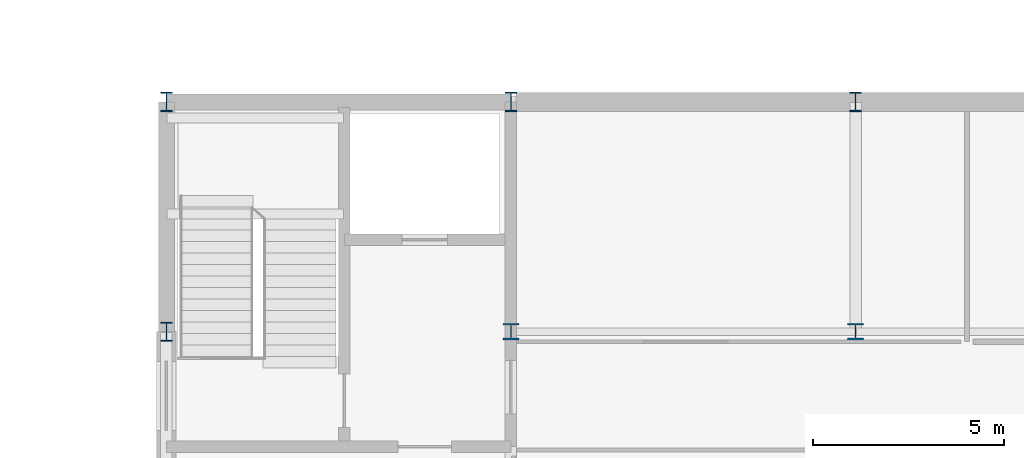
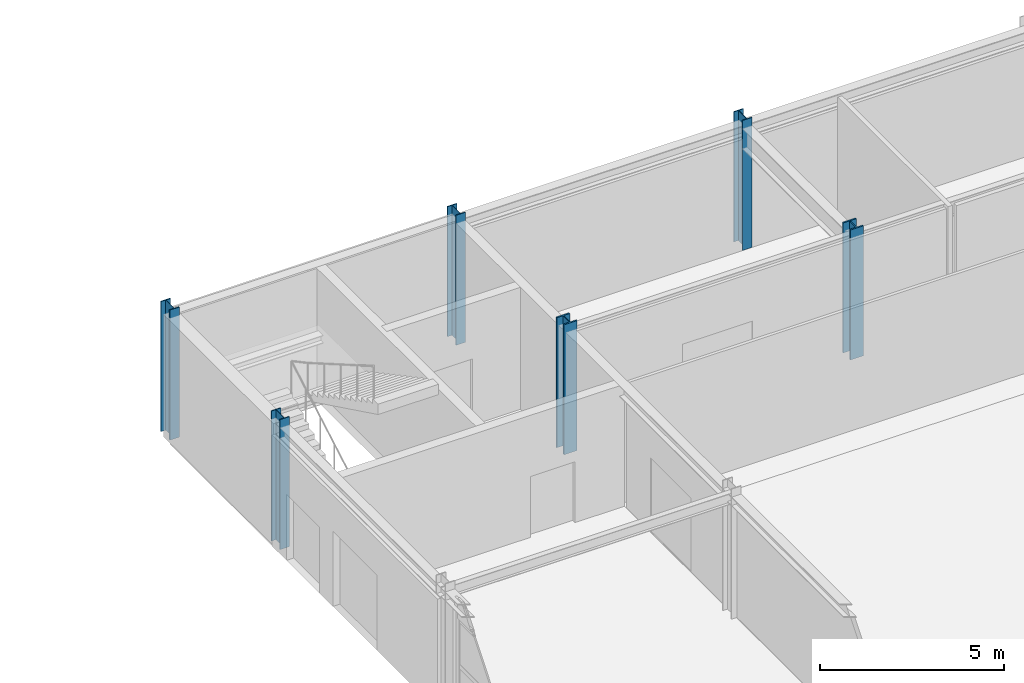
# One storey, part 14 of 72: 6 columns.
"""IFC4 building model written with IfcOpenShell, lengths in metres."""

from ifc_helpers import new_model, si_unit, direction, frame, origin, origin_2d, place, context, subcontext, project, spatial, i_section, extrude, material, material_profile, profile_set, type_object, element, save


model = new_model("IFC4")

# Units and contexts
model_context = context("Model", 3, precision=1e-05, world=origin(), true_north=direction((0.0, 1.0)))
body_context = subcontext(model_context, "Body", "Model", "MODEL_VIEW")
ifc_project = project(units=[si_unit("LENGTHUNIT", "METRE"), si_unit("AREAUNIT", "SQUARE_METRE"), si_unit("VOLUMEUNIT", "CUBIC_METRE"), si_unit("PLANEANGLEUNIT", "RADIAN"), si_unit("MASSUNIT", "GRAM", prefix="KILO")], contexts=[model_context])

# Site, building, storey
site_placement = place(None, origin())
site = spatial("IfcSite", under=ifc_project, at=site_placement, CompositionType="ELEMENT")
building_placement = place(site_placement, origin())
building = spatial("IfcBuilding", under=site, at=building_placement, Name="Palais des Congres Ocreval", CompositionType="ELEMENT")
storey_placement = place(building_placement, origin())
storey = spatial("IfcBuildingStorey", under=building, at=storey_placement, Name="L00", CompositionType="ELEMENT", Elevation=0.0)

# Columns
ifc_material_1 = material(Name="Steel S460", Category="steel")
ifc_material_profile_1 = material_profile(ifc_material_1, i_section(OverallWidth=0.412109375, OverallDepth=0.43505859375, WebThickness=0.027099609375, FlangeThickness=0.0458984375, at=origin_2d()), Name="HD 400x463")
ifc_profile_set_1 = profile_set([ifc_material_profile_1], Name="Steel S460")
column_type_1 = type_object("IfcColumnType", Name="Column HD 400x463 Steel S460", PredefinedType="COLUMN", material=ifc_profile_set_1)
for number, where, z_axis, x_axis, name in (
    (1, (108.0, 108.0, 0.0), (0.0, 0.0, 1.0), (1.0, 0.0, 0.0), "Column C02 L00"),
    (2, (117.0, 108.0, 0.0), (0.0, 0.0, 1.0), (1.0, 0.0, 0.0), "Column C02 L00"),
):
    element("IfcColumn", number, at=place(storey_placement, frame(where, z_axis=z_axis, x_axis=x_axis)), inside=storey, type_object=column_type_1, Name=name, PredefinedType="COLUMN", context=body_context, shape_type="SweptSolid", body=[
        extrude(i_section(OverallWidth=0.412109375, OverallDepth=0.43505859375, WebThickness=0.027099609375, FlangeThickness=0.0458984375, at=origin_2d()), origin(), (0.0, 0.0, 1.0), 4.320068359375),
    ])
ifc_material_2 = material(Name="Steel S355", Category="steel")
ifc_material_profile_2 = material_profile(ifc_material_2, i_section(OverallWidth=0.300048828125, OverallDepth=0.5, WebThickness=0.014404296875, FlangeThickness=0.028076171875, at=origin_2d()), Name="HEB 500")
ifc_profile_set_2 = profile_set([ifc_material_profile_2], Name="Steel S355")
column_type_2 = type_object("IfcColumnType", Name="Column HEB 500 Steel S355", PredefinedType="COLUMN", material=ifc_profile_set_2)
for number, where, z_axis, x_axis, name in (
    (3, (99.0, 108.0, 0.0), (0.0, 0.0, 1.0), (1.0, 0.0, 0.0), "Column C08 L00"),
    (4, (99.0, 114.0, 0.0), (0.0, 0.0, 1.0), (1.0, 0.0, 0.0), "Column C08 L00"),
    (5, (108.0, 114.0, 0.0), (0.0, 0.0, 1.0), (1.0, 0.0, 0.0), "Column C08 L00"),
    (6, (117.0, 114.0, 0.0), (0.0, 0.0, 1.0), (1.0, 0.0, 0.0), "Column C08 L00"),
):
    element("IfcColumn", number, at=place(storey_placement, frame(where, z_axis=z_axis, x_axis=x_axis)), inside=storey, type_object=column_type_2, Name=name, PredefinedType="COLUMN", context=body_context, shape_type="SweptSolid", body=[
        extrude(i_section(OverallWidth=0.300048828125, OverallDepth=0.5, WebThickness=0.014404296875, FlangeThickness=0.028076171875, at=origin_2d()), origin(), (0.0, 0.0, 1.0), 4.320068359375),
    ])

save(model, "model.ifc")
